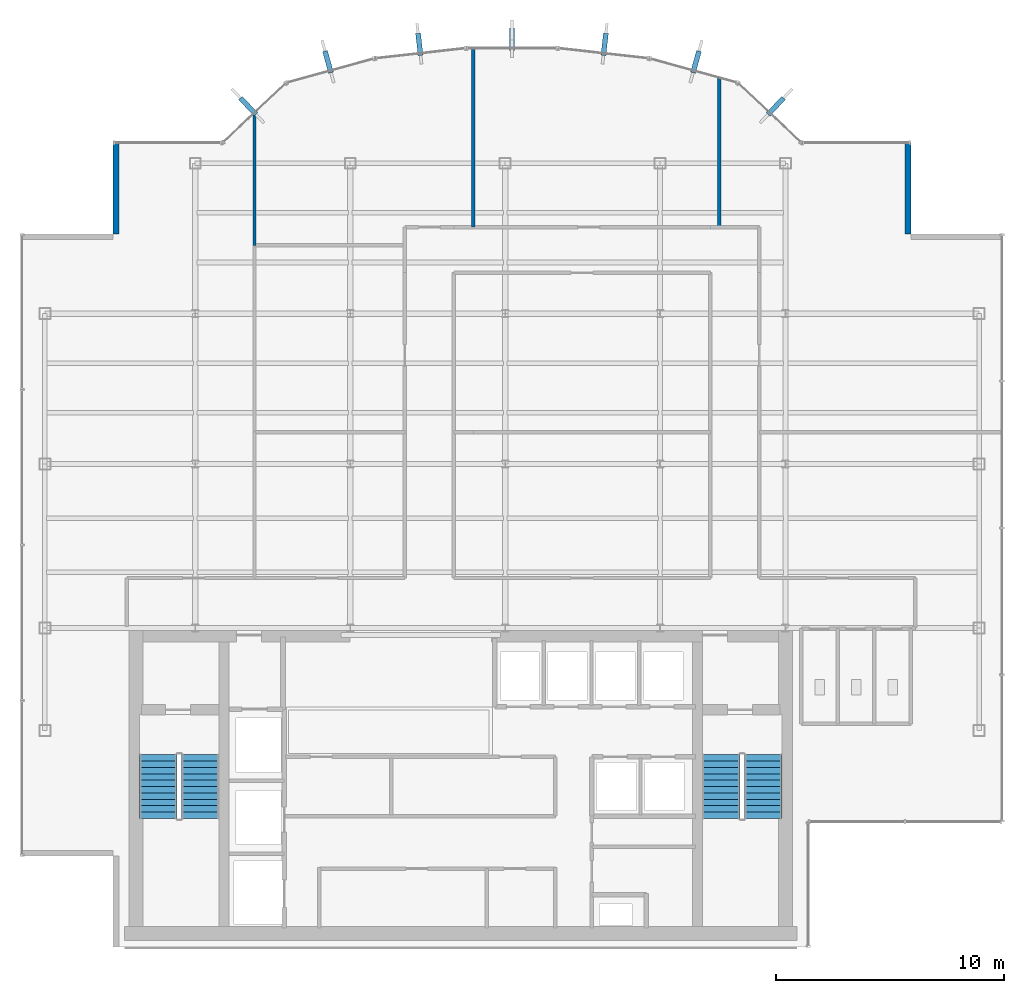
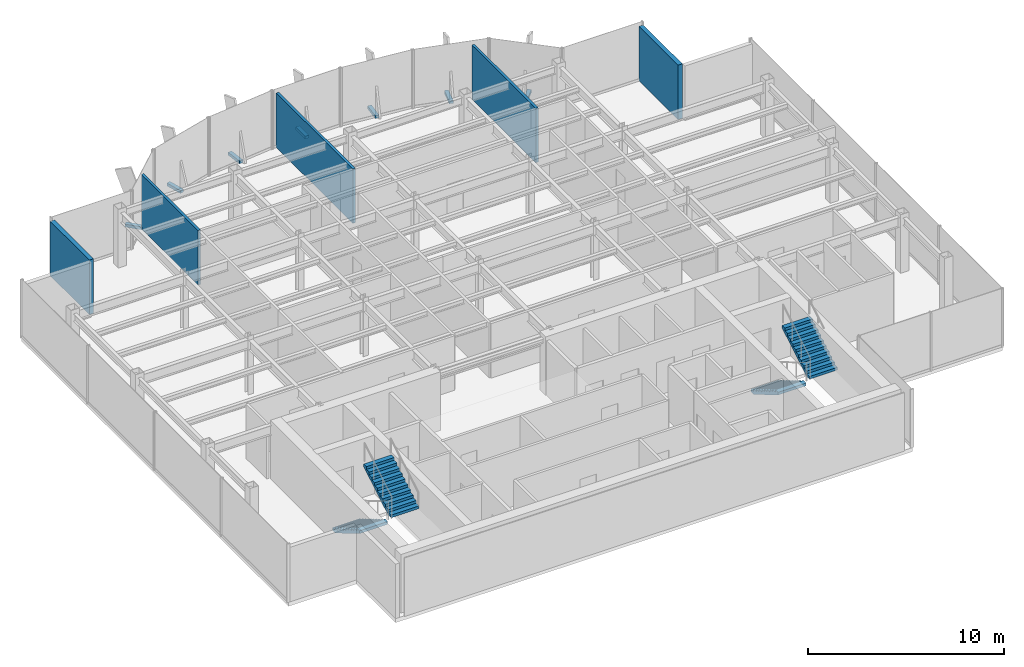
# One storey, part 19 of 22: 7 discrete accessories, 5 walls, 4 stair flights, 2 elements without a shape of their own.
"""IFC4 building model written with IfcOpenShell, lengths in metres."""

from ifc_helpers import new_model, si_unit, derived_unit, direction, frame, frame_2d, origin, origin_2d, place, context, subcontext, project, spatial, polyline, rectangle, outline, extrude, source, transform, mapped, material, layer, layer_set, type_object, element, aggregate, save


model = new_model("IFC4")

# Units and contexts
model_context = context("Model", 3, precision=1e-05, world=origin(), true_north=direction((0.0, 1.0)))
body_context = subcontext(model_context, "Body", "Model", "MODEL_VIEW")
ifc_project = project(units=[si_unit("LENGTHUNIT", "METRE"), si_unit("AREAUNIT", "SQUARE_METRE"), si_unit("VOLUMEUNIT", "CUBIC_METRE"), si_unit("PLANEANGLEUNIT", "RADIAN"), si_unit("MASSUNIT", "GRAM", prefix="KILO"), derived_unit("THERMALTRANSMITTANCEUNIT", [(si_unit("POWERUNIT", "WATT"), 1), (si_unit("LENGTHUNIT", "METRE"), -2), (si_unit("THERMODYNAMICTEMPERATUREUNIT", "KELVIN"), -1)])], contexts=[model_context])

# Site, building, storey
site_placement = place(None, origin())
site = spatial("IfcSite", under=ifc_project, at=site_placement, CompositionType="ELEMENT")
building_placement = place(site_placement, origin())
building = spatial("IfcBuilding", under=site, at=building_placement, Name="Skarnbrae Concourse Arena and Tower", CompositionType="ELEMENT")
storey_placement = place(building_placement, frame((0.0, 0.0, 247.85009765625)))
storey = spatial("IfcBuildingStorey", under=building, at=storey_placement, Name="L64", CompositionType="ELEMENT", Elevation=247.85009765625)

# Walls
ifc_material_1 = material(Name="Precast concrete 40 MPa (C40/50)", Category="concrete")
ifc_layer_1 = layer(ifc_material_1, 0.25)
ifc_layer_set_1 = layer_set([ifc_layer_1], Name="Precast concrete 40 MPa (C40/50)")
wall_type_1 = type_object("IfcWallType", Name="WALL-EXT-SPANDREL-250", PredefinedType="STANDARD", material=ifc_layer_set_1)
shared_shape_1 = source(origin(), body_context, "Body", "SweptSolid", [
    extrude(rectangle(XDim=4.0, YDim=0.25, at=frame_2d((2.0, 0.0))), origin(), (0.0, 0.0, 1.0), 3.39990234375),
])
for number, where, z_axis, x_axis, name in (
    (1, (38.875, 31.300048828125, 0.0), (0.0, 0.0, 1.0), (0.0, 1.0, 0.0), "L64 Notched corner insulated return wall 06"),
    (2, (4.125, 35.300048828125, 0.0), (0.0, 0.0, 1.0), (0.0, -1.0, 0.0), "L64 Notched corner insulated return wall 16"),
):
    element("IfcWall", number, at=place(storey_placement, frame(where, z_axis=z_axis, x_axis=x_axis)), inside=storey, type_object=wall_type_1, Name=name, PredefinedType="STANDARD", context=body_context, shape_type="MappedRepresentation", body=[
        mapped(shared_shape_1, transform((0.0, 0.0, 0.0))),
    ])
ifc_material_2 = material(Name="Gypsum board on cold-formed steel studs", Category="steel")
ifc_layer_2 = layer(ifc_material_2, 0.14990234375)
ifc_layer_set_2 = layer_set([ifc_layer_2], Name="Gypsum board on cold-formed steel studs")
wall_type_2 = type_object("IfcWallType", Name="WALL-PART-150", PredefinedType="PARTITIONING", material=ifc_layer_set_2)
shared_shape_2 = source(origin(), body_context, "Body", "SweptSolid", [
    extrude(rectangle(XDim=5.790283203125, YDim=0.14990234375, at=frame_2d((2.89501953125, 0.0))), origin(), (0.0, 0.0, 1.0), 3.39990234375),
])
wall_1_placement = place(storey_placement, frame((10.199951171875, 36.59033203125, 0.0), z_axis=(0.0, 0.0, 1.0), x_axis=(0.0, -1.0, 0.0)))
element("IfcWall", 3, at=wall_1_placement, inside=storey, type_object=wall_type_2, Name="L64 Interior partition wall W-L64-DEM-21", PredefinedType="PARTITIONING", context=body_context, shape_type="MappedRepresentation", body=[
    mapped(shared_shape_2, transform((0.0, 0.0, 0.0))),
])
shared_shape_3 = source(origin(), body_context, "Body", "SweptSolid", [
    extrude(rectangle(XDim=7.82666015625, YDim=0.14990234375, at=frame_2d((3.913330078125, 0.0))), origin(), (0.0, 0.0, 1.0), 3.39990234375),
])
wall_2_placement = place(storey_placement, frame((19.800048828125, 39.4267578125, 0.0), z_axis=(0.0, 0.0, 1.0), x_axis=(0.0, -1.0, 0.0)))
element("IfcWall", 4, at=wall_2_placement, inside=storey, type_object=wall_type_2, Name="L64 Interior partition wall W-L64-DEM-24", PredefinedType="PARTITIONING", context=body_context, shape_type="MappedRepresentation", body=[
    mapped(shared_shape_3, transform((0.0, 0.0, 0.0))),
])
shared_shape_4 = source(origin(), body_context, "Body", "SweptSolid", [
    extrude(rectangle(XDim=6.529052734375, YDim=0.14990234375, at=frame_2d((3.2646484375, 0.0))), origin(), (0.0, 0.0, 1.0), 3.39990234375),
])
wall_3_placement = place(storey_placement, frame((30.60009765625, 38.129150390625, 0.0), z_axis=(0.0, 0.0, 1.0), x_axis=(0.0, -1.0, 0.0)))
element("IfcWall", 5, at=wall_3_placement, inside=storey, type_object=wall_type_2, Name="L64 Interior partition wall W-L64-DEM-25", PredefinedType="PARTITIONING", context=body_context, shape_type="MappedRepresentation", body=[
    mapped(shared_shape_4, transform((0.0, 0.0, 0.0))),
])

# Stair, stair flights
ifc_material_3 = material(Name="Concrete 40 MPa (C40/50)", Category="concrete")
stair_type = type_object("IfcStairType", Name="STAIR-DOGLEG-1650", PredefinedType="HALF_TURN_STAIR", material=ifc_material_3)
stair_1_placement = place(storey_placement, origin())
stair_1 = element("IfcStair", 6, at=stair_1_placement, inside=storey, type_object=stair_type, Name="L64 Protected Exit Stair ST-1", PredefinedType="HALF_TURN_STAIR")
stair_flight_type = type_object("IfcStairFlightType", Name="FLIGHT-STRAIGHT-1650", PredefinedType="STRAIGHT", material=ifc_material_3)
shared_shape_5 = source(origin(), body_context, "Body", "SweptSolid", [
    extrude(outline(polyline([(0.0, 0.0), (0.0, 0.166015625), (0.280029296875, 0.166015625), (0.280029296875, 0.331787109375), (0.56005859375, 0.331787109375), (0.56005859375, 0.497802734375), (0.840087890625, 0.497802734375), (0.840087890625, 0.66357421875), (1.1201171875, 0.66357421875), (1.1201171875, 0.82958984375), (1.39990234375, 0.82958984375), (1.39990234375, 0.995361328125), (1.679931640625, 0.995361328125), (1.679931640625, 1.161376953125), (1.9599609375, 1.161376953125), (1.9599609375, 1.327392578125), (2.239990234375, 1.327392578125), (2.239990234375, 1.4931640625), (2.52001953125, 1.4931640625), (2.52001953125, 1.6591796875), (2.800048828125, 1.6591796875), (2.800048828125, 1.824951171875), (2.800048828125, 1.48486328125), (0.2939453125, 0.0), (0.0, 0.0)])), frame((0.0, 0.824951171875, 0.0), z_axis=(0.0, -1.0, 0.0), x_axis=(1.0, 0.0, 0.0)), (0.0, 0.0, 1.0), 1.64990234375),
])
stair_flight_1_placement = place(storey_placement, frame((5.97509765625, 8.449951171875, 0.0), z_axis=(0.0, 0.0, 1.0), x_axis=(0.0, -1.0, 0.0)))
stair_flight_1 = element("IfcStairFlight", 7, at=stair_flight_1_placement, type_object=stair_flight_type, Name="ST-1 flight 1", NumberOfRisers=11, NumberOfTreads=10, PredefinedType="STRAIGHT", RiserHeight=0.165909091, TreadLength=0.28, context=body_context, shape_type="MappedRepresentation", body=[
    mapped(shared_shape_5, transform((0.0, 0.0, 0.0))),
])
stair_flight_2_placement = place(storey_placement, frame((7.824951171875, 5.64990234375, 1.824951171875), z_axis=(0.0, 0.0, 1.0), x_axis=(0.0, 1.0, 0.0)))
stair_flight_2 = element("IfcStairFlight", 8, at=stair_flight_2_placement, type_object=stair_flight_type, Name="ST-1 flight 2", NumberOfRisers=11, NumberOfTreads=10, PredefinedType="STRAIGHT", RiserHeight=0.165909091, TreadLength=0.28, context=body_context, shape_type="MappedRepresentation", body=[
    mapped(shared_shape_5, transform((0.0, 0.0, 0.0))),
])
aggregate(stair_1, [stair_flight_1, stair_flight_2])

stair_2_placement = place(storey_placement, origin())
stair_2 = element("IfcStair", 9, at=stair_2_placement, inside=storey, type_object=stair_type, Name="L64 Protected Exit Stair ST-2", PredefinedType="HALF_TURN_STAIR")
stair_flight_3_placement = place(storey_placement, frame((30.675048828125, 8.449951171875, 0.0), z_axis=(0.0, 0.0, 1.0), x_axis=(0.0, -1.0, 0.0)))
stair_flight_3 = element("IfcStairFlight", 10, at=stair_flight_3_placement, type_object=stair_flight_type, Name="ST-2 flight 1", NumberOfRisers=11, NumberOfTreads=10, PredefinedType="STRAIGHT", RiserHeight=0.165909091, TreadLength=0.28, context=body_context, shape_type="MappedRepresentation", body=[
    mapped(shared_shape_5, transform((0.0, 0.0, 0.0))),
])
stair_flight_4_placement = place(storey_placement, frame((32.52490234375, 5.64990234375, 1.824951171875), z_axis=(0.0, 0.0, 1.0), x_axis=(0.0, 1.0, 0.0)))
stair_flight_4 = element("IfcStairFlight", 11, at=stair_flight_4_placement, type_object=stair_flight_type, Name="ST-2 flight 2", NumberOfRisers=11, NumberOfTreads=10, PredefinedType="STRAIGHT", RiserHeight=0.165909091, TreadLength=0.28, context=body_context, shape_type="MappedRepresentation", body=[
    mapped(shared_shape_5, transform((0.0, 0.0, 0.0))),
])
aggregate(stair_2, [stair_flight_3, stair_flight_4])

# Discrete accessories
ifc_material_4 = material(Name="Bronze anodised aluminium 6063-T6", Category="aluminium")
discrete_accessory_type = type_object("IfcDiscreteAccessoryType", Name="ACC-FIN-BRACKET", PredefinedType="BRACKET", material=ifc_material_4)
shared_shape_6 = source(origin(), body_context, "Body", "SweptSolid", [
    extrude(rectangle(XDim=0.219970703125, YDim=0.97998046875, at=origin_2d()), origin(), (0.0, 0.0, 1.0), 0.179931640625),
])
for number, where, z_axis, x_axis, name in (
    (12, (33.0791015625, 36.904541015625, -0.0302734375), (0.0, 0.0, 1.0), (0.728131751529, -0.685437198009, 0.0), "L64 Bronze fin foot support bracket 08"),
    (13, (29.573974609375, 38.847412109375, -0.0302734375), (0.0, 0.0, 1.0), (0.964058316208, -0.265690728011, 0.0), "L64 Bronze fin foot support bracket 09"),
    (14, (25.566162109375, 39.619384765625, -0.0302734375), (0.0, 0.0, 1.0), (0.993769864509, -0.111451587667, 0.0), "L64 Bronze fin foot support bracket 10"),
    (15, (21.5, 39.8466796875, -0.0302734375), (0.0, 0.0, 1.0), (1.0, 0.0, 0.0), "L64 Bronze fin foot support bracket 11"),
    (16, (17.433837890625, 39.619384765625, -0.0302734375), (0.0, 0.0, 1.0), (0.993769864509, 0.111451587667, 0.0), "L64 Bronze fin foot support bracket 12"),
    (17, (13.426025390625, 38.847412109375, -0.0302734375), (0.0, 0.0, 1.0), (0.964058316208, 0.265690728011, 0.0), "L64 Bronze fin foot support bracket 13"),
    (18, (9.9208984375, 36.904541015625, -0.0302734375), (0.0, 0.0, 1.0), (0.728131751529, 0.685437198009, 0.0), "L64 Bronze fin foot support bracket 14"),
):
    element("IfcDiscreteAccessory", number, at=place(storey_placement, frame(where, z_axis=z_axis, x_axis=x_axis)), inside=storey, type_object=discrete_accessory_type, Name=name, PredefinedType="BRACKET", context=body_context, shape_type="MappedRepresentation", body=[
        mapped(shared_shape_6, transform((0.0, 0.0, 0.0))),
    ])

save(model, "model.ifc")
